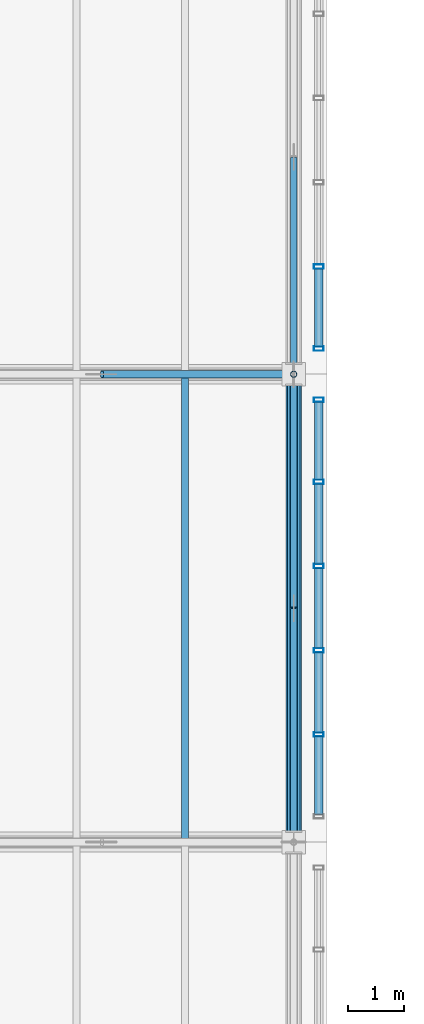
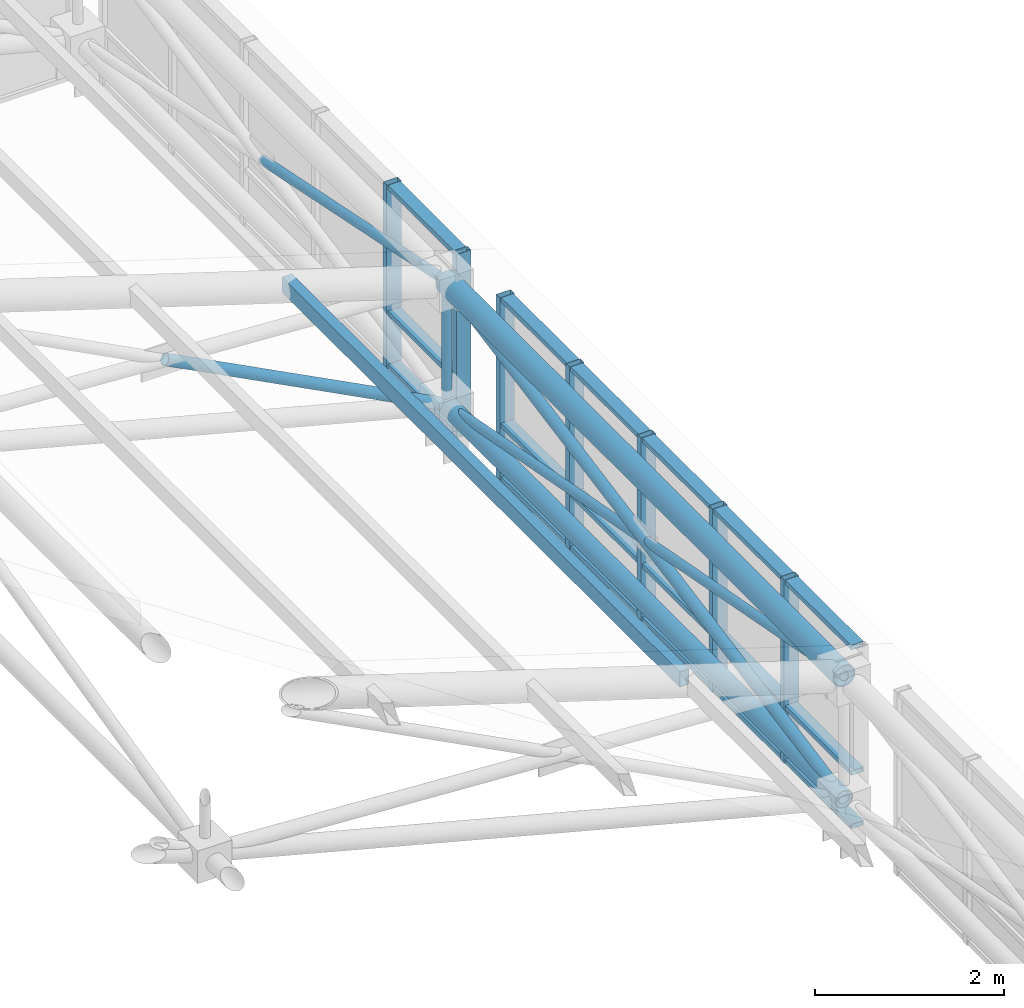
# One storey, part 103 of 144: 34 members, 2 elements without a shape of their own.
"""IFC4 building model written with IfcOpenShell, lengths in metres."""

import ifcopenshell
import ifcopenshell.guid

model = None  # the IFC model being written
_history = None  # IfcOwnerHistory: only IFC2X3 demands one
_inside = {}  # id of a spatial element -> (the spatial element, [elements in it])
_under = {}  # id of a project, library or spatial element -> (it, [spatial elements below it])
_declared = {}  # id of a project -> (the project, [libraries it declares])
_typed = {}  # id of a type object -> (the type object, [elements of that type])
_made_of = {}  # id of a material, layer set ... -> (it, [elements and type objects made of it])


def new_model(schema):
    """Start an empty IFC model of exactly this schema.

    Asked for "IFC4X3", IfcOpenShell would pick the latest addendum, in which some entities
    have other attributes; the version numbers below select the first issue.
    IFC2X3 requires an IfcOwnerHistory on every rooted entity: one is made here for all.
    """
    global model, _history
    if schema == "IFC4X3":
        model = ifcopenshell.file(schema_version=(4, 3, 0, 0))
    else:
        model = ifcopenshell.file(schema=schema)
    _inside.clear()
    _under.clear()
    _declared.clear()
    _typed.clear()
    _made_of.clear()
    _history = None
    if model.schema == "IFC2X3":
        org = make("IfcOrganization", Name="unknown")
        user = make(
            "IfcPersonAndOrganization",
            ThePerson=make("IfcPerson", FamilyName="unknown"),
            TheOrganization=org,
        )
        app = make(
            "IfcApplication",
            ApplicationDeveloper=org,
            Version="unknown",
            ApplicationFullName="unknown",
            ApplicationIdentifier="unknown",
        )
        _history = make(
            "IfcOwnerHistory",
            OwningUser=user,
            OwningApplication=app,
            ChangeAction="ADDED",
            CreationDate=0,
        )
    return model


def make(cls, **values):
    """One entity of the class cls with the attributes given. An attribute that is None is left unset."""
    return model.create_entity(
        cls, **{name: value for name, value in values.items() if value is not None}
    )


def rooted(cls, **values):
    """An entity with a GlobalId (a new one), such as an element, a storey or a relation."""
    return make(cls, GlobalId=ifcopenshell.guid.new(), OwnerHistory=_history, **values)


def si_unit(unit_type, name, prefix=None):
    """IfcSIUnit, for example si_unit("LENGTHUNIT", "METRE", prefix="MILLI")."""
    return make("IfcSIUnit", UnitType=unit_type, Prefix=prefix, Name=name)


def assignment(units):
    """IfcUnitAssignment: the units of a project."""
    return None if units is None else make("IfcUnitAssignment", Units=units)


def point(xyz):
    """IfcCartesianPoint."""
    return None if xyz is None else make("IfcCartesianPoint", Coordinates=xyz)


def direction(xyz):
    """IfcDirection."""
    return None if xyz is None else make("IfcDirection", DirectionRatios=xyz)


def frame(location, z_axis=None, x_axis=None):
    """IfcAxis2Placement3D, a coordinate frame: its origin and axes. An axis left out is left unset."""
    return make(
        "IfcAxis2Placement3D",
        Location=point(location),
        Axis=direction(z_axis),
        RefDirection=direction(x_axis),
    )


def frame_2d(location, x_axis=None):
    """IfcAxis2Placement2D, a coordinate frame in the plane: its origin and x axis."""
    return make(
        "IfcAxis2Placement2D", Location=point(location), RefDirection=direction(x_axis)
    )


def origin():
    """The frame at (0, 0, 0) with its axes left unset."""
    return frame((0.0, 0.0, 0.0))


def origin_2d():
    """The frame at (0, 0) in the plane with its x axis left unset."""
    return frame_2d((0.0, 0.0))


def place(relative_to, where):
    """IfcLocalPlacement: puts the frame where relative to a parent placement (None: the world)."""
    return make(
        "IfcLocalPlacement", PlacementRelTo=relative_to, RelativePlacement=where
    )


def context(
    kind, dimensions, precision=None, world=None, true_north=None, identifier=None
):
    """IfcGeometricRepresentationContext, for example the 3D "Model" context."""
    return make(
        "IfcGeometricRepresentationContext",
        ContextIdentifier=identifier,
        ContextType=kind,
        CoordinateSpaceDimension=dimensions,
        Precision=precision,
        WorldCoordinateSystem=world,
        TrueNorth=true_north,
    )


def subcontext(parent, identifier, kind, view, scale=None):
    """IfcGeometricRepresentationSubContext, for example "Body" below "Model"."""
    return make(
        "IfcGeometricRepresentationSubContext",
        ContextIdentifier=identifier,
        ContextType=kind,
        ParentContext=parent,
        TargetScale=scale,
        TargetView=view,
    )


def project(units=None, contexts=None):
    """IfcProject with its units and contexts."""
    return rooted(
        "IfcProject",
        Name="project",
        RepresentationContexts=contexts,
        UnitsInContext=assignment(units),
    )


def spatial(cls, under=None, at=None, **own):
    """A site, building, storey or space (cls), placed at a placement, below another one or the project."""
    s = rooted(cls, ObjectPlacement=at, **own)
    if under is not None:
        _under.setdefault(under.id(), (under, []))[1].append(s)
    return s


def profile(cls, at=None, kind="AREA", **sizes):
    """A parametric profile (cls). Its sizes go by their IFC names, for example OverallWidth=200.0."""
    return make(cls, ProfileType=kind, Position=at, **sizes)


def hollow_rectangle(**sizes):
    """IfcRectangleHollowProfileDef."""
    return profile("IfcRectangleHollowProfileDef", **sizes)


def hollow_circle(**sizes):
    """IfcCircleHollowProfileDef."""
    return profile("IfcCircleHollowProfileDef", **sizes)


def extrude(swept, where, along, depth):
    """IfcExtrudedAreaSolid: the profile swept, set in the frame where, extruded along a direction by depth."""
    return make(
        "IfcExtrudedAreaSolid",
        SweptArea=swept,
        Position=where,
        ExtrudedDirection=direction(along),
        Depth=depth,
    )


def shape(context_of_items, identifier, shape_type, items):
    """IfcShapeRepresentation: the items that make up one representation, for example the "Body"."""
    return make(
        "IfcShapeRepresentation",
        ContextOfItems=context_of_items,
        RepresentationIdentifier=identifier,
        RepresentationType=shape_type,
        Items=items,
    )


def material(Name=None, Category=None):
    """IfcMaterial."""
    return make("IfcMaterial", Name=Name, Category=Category)


def layer(
    of_material, thickness, ventilated=None, Name=None, Category=None, Priority=None
):
    """IfcMaterialLayer: one layer of a wall or slab, of a material (None: an air gap)."""
    return make(
        "IfcMaterialLayer",
        Material=of_material,
        LayerThickness=thickness,
        IsVentilated=ventilated,
        Name=Name,
        Category=Category,
        Priority=Priority,
    )


def layer_set(layers, Name=None):
    """IfcMaterialLayerSet."""
    return make("IfcMaterialLayerSet", MaterialLayers=layers, LayerSetName=Name)


def material_profile(
    of_material, cross_section, Name=None, Category=None, Priority=None
):
    """IfcMaterialProfile: a cross section and its material."""
    return make(
        "IfcMaterialProfile",
        Name=Name,
        Material=of_material,
        Profile=cross_section,
        Priority=Priority,
        Category=Category,
    )


def profile_set(profiles, Name=None, composite=None):
    """IfcMaterialProfileSet."""
    return make(
        "IfcMaterialProfileSet",
        Name=Name,
        MaterialProfiles=profiles,
        CompositeProfile=composite,
    )


def made_of(thing, what):
    """Note that an element or type object is made of a material, layer set ...; save() writes the relation."""
    if what is not None:
        _made_of.setdefault(what.id(), (what, []))[1].append(thing)
    return thing


def type_object(cls, material=None, **own):
    """A type object (cls), such as IfcWallType, which elements share."""
    return made_of(rooted(cls, **own), material)


def element(
    cls,
    number,
    at=None,
    inside=None,
    cuts=None,
    type_object=None,
    material=None,
    context=None,
    identifier="Body",
    shape_type=None,
    held_by="IfcProductDefinitionShape",
    body=None,
    shapes=None,
    **own,
):
    """One element of the class cls, such as IfcWall. Its Tag is "e" and its number.

    at: its placement. inside: the storey or other place that contains it. cuts: it is an
    opening in that element (IfcRelVoidsElement). A single representation is given by context,
    identifier, shape_type and body (its items); several are given by shapes. held_by: the class
    of the entity that holds the representations. save() writes the other relations.
    """
    e = rooted(cls, Tag="e%d" % number, ObjectPlacement=at, **own)
    if body is not None:
        shapes = [shape(context, identifier, shape_type, body)]
    if shapes is not None:
        e.Representation = make(held_by, Representations=shapes)
    if inside is not None:
        _inside.setdefault(inside.id(), (inside, []))[1].append(e)
    if cuts is not None:
        rooted(
            "IfcRelVoidsElement", RelatingBuildingElement=cuts, RelatedOpeningElement=e
        )
    if type_object is not None:
        _typed.setdefault(type_object.id(), (type_object, []))[1].append(e)
    return made_of(e, material)


def aggregate(whole, parts):
    """IfcRelAggregates: a whole, such as a stair, and the parts it consists of."""
    return rooted("IfcRelAggregates", RelatingObject=whole, RelatedObjects=parts)


def save(model, path):
    """Write the relations noted so far, then the file.

    IfcRelAggregates (storeys below a building ...), IfcRelContainedInSpatialStructure (elements
    in a storey), IfcRelDefinesByType, IfcRelAssociatesMaterial and IfcRelDeclares: one each for
    every whole, place, type object, material and project.
    """
    for whole, parts in _under.values():
        aggregate(whole, parts)
    for where, things in _inside.values():
        rooted(
            "IfcRelContainedInSpatialStructure",
            RelatedElements=things,
            RelatingStructure=where,
        )
    for kind, things in _typed.values():
        rooted("IfcRelDefinesByType", RelatedObjects=things, RelatingType=kind)
    for what, things in _made_of.values():
        rooted("IfcRelAssociatesMaterial", RelatedObjects=things, RelatingMaterial=what)
    for by, libraries in _declared.values():
        rooted("IfcRelDeclares", RelatingContext=by, RelatedDefinitions=libraries)
    model.write(path)


model = new_model("IFC4")

# Units and contexts
model_context = context("Model", 3, precision=1e-05, world=origin(), true_north=direction((0.0, 1.0)))
body_context = subcontext(model_context, "Body", "Model", "MODEL_VIEW")
ifc_project = project(units=[si_unit("LENGTHUNIT", "METRE"), si_unit("AREAUNIT", "SQUARE_METRE"), si_unit("VOLUMEUNIT", "CUBIC_METRE"), si_unit("PLANEANGLEUNIT", "RADIAN"), si_unit("MASSUNIT", "GRAM", prefix="KILO")], contexts=[model_context])

# Site, building, storey
site_placement = place(None, origin())
site = spatial("IfcSite", under=ifc_project, at=site_placement, CompositionType="ELEMENT")
building_placement = place(site_placement, origin())
building = spatial("IfcBuilding", under=site, at=building_placement, Name="Zayran Congress Hotel", CompositionType="ELEMENT")
storey_placement = place(building_placement, frame((0.0, 0.0, 19.199951171875)))
storey = spatial("IfcBuildingStorey", under=building, at=storey_placement, Name="L04", CompositionType="ELEMENT", Elevation=19.199951171875)

# Members
ifc_material_1 = material(Name="Steel S355", Category="steel")
ifc_material_profile_1 = material_profile(ifc_material_1, hollow_circle(Radius=0.136474609375, WallThickness=0.012451171875, at=origin_2d()), Name="CHS 273x12.5")
ifc_profile_set_1 = profile_set([ifc_material_profile_1], Name="Steel S355")
member_type_1 = type_object("IfcMemberType", Name="TP-SF-TC2", PredefinedType="CHORD", material=ifc_profile_set_1)
member_1_placement = place(storey_placement, frame((91.800048828125, 101.199951171875, 2.19140625), z_axis=(0.0, 1.0, 0.0), x_axis=(-1.0, 0.0, 0.0)))
element("IfcMember", 1, at=member_1_placement, inside=storey, type_object=member_type_1, Name="Space Frame Top Chord Y 563", PredefinedType="CHORD", context=body_context, shape_type="SweptSolid", body=[
    extrude(hollow_circle(Radius=0.136474609375, WallThickness=0.012451171875, at=origin_2d()), origin(), (0.0, 0.0, 1.0), 8.400146484375),
])
ifc_material_profile_2 = material_profile(ifc_material_1, hollow_circle(Radius=0.109619140625, WallThickness=0.010009765625, at=origin_2d()), Name="CHS 219.1x10")
ifc_profile_set_2 = profile_set([ifc_material_profile_2], Name="Steel S355")
member_type_2 = type_object("IfcMemberType", Name="TP-SF-BC1", PredefinedType="CHORD", material=ifc_profile_set_2)
member_2_placement = place(storey_placement, frame((91.800048828125, 101.199951171875, 0.60009765625), z_axis=(0.0, 1.0, 0.0), x_axis=(-1.0, 0.0, 0.0)))
element("IfcMember", 2, at=member_2_placement, inside=storey, type_object=member_type_2, Name="Space Frame Bottom Chord Y 564", PredefinedType="CHORD", context=body_context, shape_type="SweptSolid", body=[
    extrude(hollow_circle(Radius=0.109619140625, WallThickness=0.010009765625, at=origin_2d()), origin(), (0.0, 0.0, 1.0), 8.400146484375),
])
ifc_material_profile_3 = material_profile(ifc_material_1, hollow_circle(Radius=0.06982421875, WallThickness=0.00634765625, at=origin_2d()), Name="CHS 139.7x6.3")
ifc_profile_set_3 = profile_set([ifc_material_profile_3], Name="Steel S355")
member_type_3 = type_object("IfcMemberType", Name="TP-SF-DG2", PredefinedType="BRACE", material=ifc_profile_set_3)
member_3_placement = place(storey_placement, frame((88.359130859375, 109.60009765625, 2.387451171875), z_axis=(0.887419803116, 0.0, -0.4609621384), x_axis=(0.0, 1.0, 0.0)))
element("IfcMember", 3, at=member_3_placement, inside=storey, type_object=member_type_3, Name="Space Frame Counter Diagonal X Lower 81", PredefinedType="BRACE", context=body_context, shape_type="SweptSolid", body=[
    extrude(hollow_circle(Radius=0.06982421875, WallThickness=0.00634765625, at=origin_2d()), origin(), (0.0, 0.0, 1.0), 3.87744140625),
])
member_4_placement = place(storey_placement, frame((91.800048828125, 101.199951171875, 0.60009765625), z_axis=(0.0, 0.982525530625, 0.186127863766), x_axis=(-1.0, 0.0, 0.0)))
element("IfcMember", 4, at=member_4_placement, inside=storey, type_object=member_type_3, Name="Space Frame Web Diagonal Y 565", PredefinedType="BRACE", context=body_context, shape_type="SweptSolid", body=[
    extrude(hollow_circle(Radius=0.06982421875, WallThickness=0.00634765625, at=origin_2d()), origin(), (0.0, 0.0, 1.0), 8.549560546875),
])
ifc_material_profile_4 = material_profile(ifc_material_1, hollow_circle(Radius=0.05712890625, WallThickness=0.00634765625, at=origin_2d()), Name="CHS 114.3x6.3")
ifc_profile_set_4 = profile_set([ifc_material_profile_4], Name="Steel S355")
member_type_4 = type_object("IfcMemberType", Name="TP-SF-DG3", PredefinedType="BRACE", material=ifc_profile_set_4)
for number, where, z_axis, x_axis, name in (
    (5, (91.800048828125, 101.199951171875, 2.19140625), (0.0, 0.982520698357, -0.186153370371), (-1.0, 0.0, 0.0), "Space Frame Bracing Diagonal Y Upper 566"),
    (6, (91.800048828125, 105.414794921875, 1.39306640625), (0.0, 0.982520698357, -0.186153370371), (-1.0, 0.0, 0.0), "Space Frame Bracing Diagonal Y Lower 87"),
):
    element("IfcMember", number, at=place(storey_placement, frame(where, z_axis=z_axis, x_axis=x_axis)), inside=storey, type_object=member_type_4, Name=name, PredefinedType="BRACE", context=body_context, shape_type="SweptSolid", body=[
        extrude(hollow_circle(Radius=0.05712890625, WallThickness=0.00634765625, at=origin_2d()), origin(), (0.0, 0.0, 1.0), 4.259765625),
    ])
member_5_placement = place(storey_placement, frame((91.800048828125, 109.60009765625, 2.19140625), z_axis=(0.0, 0.979813166371, -0.199915379616), x_axis=(-1.0, 0.0, 0.0)))
element("IfcMember", 7, at=member_5_placement, inside=storey, type_object=member_type_4, Name="Space Frame Bracing Diagonal Y Upper 571", PredefinedType="BRACE", context=body_context, shape_type="SweptSolid", body=[
    extrude(hollow_circle(Radius=0.05712890625, WallThickness=0.00634765625, at=origin_2d()), origin(), (0.0, 0.0, 1.0), 3.96533203125),
])
member_6_placement = place(storey_placement, frame((91.800048828125, 109.60009765625, 0.60009765625), z_axis=(0.0, 0.0, 1.0), x_axis=(0.0, 1.0, 0.0)))
element("IfcMember", 8, at=member_6_placement, inside=storey, type_object=member_type_4, Name="Space Frame Web Strut 572", PredefinedType="BRACE", context=body_context, shape_type="SweptSolid", body=[
    extrude(hollow_circle(Radius=0.05712890625, WallThickness=0.00634765625, at=origin_2d()), origin(), (0.0, 0.0, 1.0), 1.59130859375),
])
ifc_material_profile_5 = material_profile(ifc_material_1, hollow_rectangle(XDim=0.1201171875, YDim=0.199951171875, WallThickness=0.008056640625, at=origin_2d()), Name="RHS 200x120x8")
ifc_profile_set_5 = profile_set([ifc_material_profile_5], Name="Steel S355")
member_type_5 = type_object("IfcMemberType", Name="TP-PR-01", PredefinedType="PURLIN", material=ifc_profile_set_5)
member_7_placement = place(storey_placement, frame((89.85009765625, 101.199951171875, 2.8486328125), z_axis=(0.0, 1.0, 0.0), x_axis=(-1.0, 0.0, 0.0)))
element("IfcMember", 9, at=member_7_placement, inside=storey, type_object=member_type_5, Name="MEM-PR-V1-0179", PredefinedType="PURLIN", context=body_context, shape_type="SweptSolid", body=[
    extrude(hollow_rectangle(XDim=0.1201171875, YDim=0.199951171875, WallThickness=0.008056640625, at=origin_2d()), origin(), (0.0, 0.0, 1.0), 8.400146484375),
])

# Curtain wall, members
ifc_material_2 = material(Name="Anodised aluminium and low-E insulated glass", Category="aluminium")
ifc_layer = layer(ifc_material_2, 0.179931640625)
ifc_layer_set = layer_set([ifc_layer], Name="Anodised aluminium and low-E insulated glass")
curtain_wall_type = type_object("IfcCurtainWallType", Name="CW-V1CL-L04-CW-41-7560-2370", PredefinedType="USERDEFINED", material=ifc_layer_set)
curtain_wall_1_placement = place(storey_placement, origin())
curtain_wall_1 = element("IfcCurtainWall", 10, at=curtain_wall_1_placement, inside=storey, type_object=curtain_wall_type, Name="CW-V1CLE-4", ObjectType="CURTAIN WALL", PredefinedType="USERDEFINED")
ifc_material_3 = material(Name="Anodised aluminium framing", Category="aluminium")
ifc_material_profile_6 = material_profile(ifc_material_3, hollow_rectangle(XDim=0.080078125, YDim=0.179931640625, WallThickness=0.0048828125, at=origin_2d()), Name="RHS 180x80x5")
ifc_profile_set_6 = profile_set([ifc_material_profile_6], Name="Anodised aluminium framing")
member_type_6 = type_object("IfcMemberType", Name="TP-CWM-01", PredefinedType="MULLION", material=ifc_profile_set_6)
member_8_placement = place(storey_placement, frame((92.25, 103.132080078125, -0.219970703125), z_axis=(0.0, 0.0, 1.0), x_axis=(0.0, 1.0, 0.0)))
member_8 = element("IfcMember", 11, at=member_8_placement, type_object=member_type_6, Name="CW-V1CLE-4-M01", PredefinedType="MULLION", context=body_context, shape_type="SweptSolid", body=[
    extrude(hollow_rectangle(XDim=0.080078125, YDim=0.179931640625, WallThickness=0.0048828125, at=origin_2d()), origin(), (0.0, 0.0, 1.0), 2.3701171875),
])
member_9_placement = place(storey_placement, frame((92.25, 104.64404296875, -0.219970703125), z_axis=(0.0, 0.0, 1.0), x_axis=(0.0, 1.0, 0.0)))
member_9 = element("IfcMember", 12, at=member_9_placement, type_object=member_type_6, Name="CW-V1CLE-4-M02", PredefinedType="MULLION", context=body_context, shape_type="SweptSolid", body=[
    extrude(hollow_rectangle(XDim=0.080078125, YDim=0.179931640625, WallThickness=0.0048828125, at=origin_2d()), origin(), (0.0, 0.0, 1.0), 2.3701171875),
])
member_10_placement = place(storey_placement, frame((92.25, 106.156005859375, -0.219970703125), z_axis=(0.0, 0.0, 1.0), x_axis=(0.0, 1.0, 0.0)))
member_10 = element("IfcMember", 13, at=member_10_placement, type_object=member_type_6, Name="CW-V1CLE-4-M03", PredefinedType="MULLION", context=body_context, shape_type="SweptSolid", body=[
    extrude(hollow_rectangle(XDim=0.080078125, YDim=0.179931640625, WallThickness=0.0048828125, at=origin_2d()), origin(), (0.0, 0.0, 1.0), 2.3701171875),
])
member_11_placement = place(storey_placement, frame((92.25, 107.66796875, -0.219970703125), z_axis=(0.0, 0.0, 1.0), x_axis=(0.0, 1.0, 0.0)))
member_11 = element("IfcMember", 14, at=member_11_placement, type_object=member_type_6, Name="CW-V1CLE-4-M04", PredefinedType="MULLION", context=body_context, shape_type="SweptSolid", body=[
    extrude(hollow_rectangle(XDim=0.080078125, YDim=0.179931640625, WallThickness=0.0048828125, at=origin_2d()), origin(), (0.0, 0.0, 1.0), 2.3701171875),
])
member_12_placement = place(storey_placement, frame((92.25, 109.139892578125, -0.219970703125), z_axis=(0.0, 0.0, 1.0), x_axis=(0.0, 1.0, 0.0)))
member_12 = element("IfcMember", 15, at=member_12_placement, type_object=member_type_6, Name="CW-V1CLE-4-M05", PredefinedType="MULLION", context=body_context, shape_type="SweptSolid", body=[
    extrude(hollow_rectangle(XDim=0.080078125, YDim=0.179931640625, WallThickness=0.0048828125, at=origin_2d()), origin(), (0.0, 0.0, 1.0), 2.3701171875),
])

curtain_wall_2_placement = place(storey_placement, origin())
curtain_wall_2 = element("IfcCurtainWall", 16, at=curtain_wall_2_placement, inside=storey, type_object=curtain_wall_type, Name="CW-V1CLE-5", ObjectType="CURTAIN WALL", PredefinedType="USERDEFINED")
member_13_placement = place(storey_placement, frame((92.25, 110.06005859375, -0.219970703125), z_axis=(0.0, 0.0, 1.0), x_axis=(0.0, 1.0, 0.0)))
member_13 = element("IfcMember", 17, at=member_13_placement, type_object=member_type_6, Name="CW-V1CLE-5-M00", PredefinedType="MULLION", context=body_context, shape_type="SweptSolid", body=[
    extrude(hollow_rectangle(XDim=0.080078125, YDim=0.179931640625, WallThickness=0.0048828125, at=origin_2d()), origin(), (0.0, 0.0, 1.0), 2.3701171875),
])
member_14_placement = place(storey_placement, frame((92.25, 111.531982421875, -0.219970703125), z_axis=(0.0, 0.0, 1.0), x_axis=(0.0, 1.0, 0.0)))
member_14 = element("IfcMember", 18, at=member_14_placement, type_object=member_type_6, Name="CW-V1CLE-5-M01", PredefinedType="MULLION", context=body_context, shape_type="SweptSolid", body=[
    extrude(hollow_rectangle(XDim=0.080078125, YDim=0.179931640625, WallThickness=0.0048828125, at=origin_2d()), origin(), (0.0, 0.0, 1.0), 2.3701171875),
])

# Member
ifc_material_profile_7 = material_profile(ifc_material_3, hollow_rectangle(XDim=0.06005859375, YDim=0.14990234375, WallThickness=0.00390625, at=origin_2d()), Name="RHS 150x60x4")
ifc_profile_set_7 = profile_set([ifc_material_profile_7], Name="Anodised aluminium framing")
member_type_7 = type_object("IfcMemberType", Name="TP-CWT-01", PredefinedType="USERDEFINED", material=ifc_profile_set_7)
member_15_placement = place(storey_placement, frame((92.25, 101.699951171875, -0.18994140625), z_axis=(0.0, 1.0, 0.0), x_axis=(0.0, 0.0, 1.0)))
member_15 = element("IfcMember", 19, at=member_15_placement, type_object=member_type_7, Name="CW-V1CLE-4-T00-0", ObjectType="TRANSOM", PredefinedType="USERDEFINED", context=body_context, shape_type="SweptSolid", body=[
    extrude(hollow_rectangle(XDim=0.06005859375, YDim=0.14990234375, WallThickness=0.00390625, at=origin_2d()), origin(), (0.0, 0.0, 1.0), 1.39208984375),
])

member_16_placement = place(storey_placement, frame((92.25, 101.699951171875, 0.5), z_axis=(0.0, 1.0, 0.0), x_axis=(0.0, 0.0, 1.0)))
member_16 = element("IfcMember", 20, at=member_16_placement, type_object=member_type_7, Name="CW-V1CLE-4-T00-1", ObjectType="TRANSOM", PredefinedType="USERDEFINED", context=body_context, shape_type="SweptSolid", body=[
    extrude(hollow_rectangle(XDim=0.06005859375, YDim=0.14990234375, WallThickness=0.00390625, at=origin_2d()), origin(), (0.0, 0.0, 1.0), 1.39208984375),
])

member_17_placement = place(storey_placement, frame((92.25, 101.699951171875, 2.1201171875), z_axis=(0.0, 1.0, 0.0), x_axis=(0.0, 0.0, 1.0)))
member_17 = element("IfcMember", 21, at=member_17_placement, type_object=member_type_7, Name="CW-V1CLE-4-T00-2", ObjectType="TRANSOM", PredefinedType="USERDEFINED", context=body_context, shape_type="SweptSolid", body=[
    extrude(hollow_rectangle(XDim=0.06005859375, YDim=0.14990234375, WallThickness=0.00390625, at=origin_2d()), origin(), (0.0, 0.0, 1.0), 1.39208984375),
])

member_18_placement = place(storey_placement, frame((92.25, 103.172119140625, -0.18994140625), z_axis=(0.0, 1.0, 0.0), x_axis=(0.0, 0.0, 1.0)))
member_18 = element("IfcMember", 22, at=member_18_placement, type_object=member_type_7, Name="CW-V1CLE-4-T01-0", ObjectType="TRANSOM", PredefinedType="USERDEFINED", context=body_context, shape_type="SweptSolid", body=[
    extrude(hollow_rectangle(XDim=0.06005859375, YDim=0.14990234375, WallThickness=0.00390625, at=origin_2d()), origin(), (0.0, 0.0, 1.0), 1.431884765625),
])

member_19_placement = place(storey_placement, frame((92.25, 103.172119140625, 0.5), z_axis=(0.0, 1.0, 0.0), x_axis=(0.0, 0.0, 1.0)))
member_19 = element("IfcMember", 23, at=member_19_placement, type_object=member_type_7, Name="CW-V1CLE-4-T01-1", ObjectType="TRANSOM", PredefinedType="USERDEFINED", context=body_context, shape_type="SweptSolid", body=[
    extrude(hollow_rectangle(XDim=0.06005859375, YDim=0.14990234375, WallThickness=0.00390625, at=origin_2d()), origin(), (0.0, 0.0, 1.0), 1.431884765625),
])

member_20_placement = place(storey_placement, frame((92.25, 103.172119140625, 2.1201171875), z_axis=(0.0, 1.0, 0.0), x_axis=(0.0, 0.0, 1.0)))
member_20 = element("IfcMember", 24, at=member_20_placement, type_object=member_type_7, Name="CW-V1CLE-4-T01-2", ObjectType="TRANSOM", PredefinedType="USERDEFINED", context=body_context, shape_type="SweptSolid", body=[
    extrude(hollow_rectangle(XDim=0.06005859375, YDim=0.14990234375, WallThickness=0.00390625, at=origin_2d()), origin(), (0.0, 0.0, 1.0), 1.431884765625),
])

member_21_placement = place(storey_placement, frame((92.25, 104.68408203125, -0.18994140625), z_axis=(0.0, 1.0, 0.0), x_axis=(0.0, 0.0, 1.0)))
member_21 = element("IfcMember", 25, at=member_21_placement, type_object=member_type_7, Name="CW-V1CLE-4-T02-0", ObjectType="TRANSOM", PredefinedType="USERDEFINED", context=body_context, shape_type="SweptSolid", body=[
    extrude(hollow_rectangle(XDim=0.06005859375, YDim=0.14990234375, WallThickness=0.00390625, at=origin_2d()), origin(), (0.0, 0.0, 1.0), 1.431884765625),
])

member_22_placement = place(storey_placement, frame((92.25, 104.68408203125, 0.5), z_axis=(0.0, 1.0, 0.0), x_axis=(0.0, 0.0, 1.0)))
member_22 = element("IfcMember", 26, at=member_22_placement, type_object=member_type_7, Name="CW-V1CLE-4-T02-1", ObjectType="TRANSOM", PredefinedType="USERDEFINED", context=body_context, shape_type="SweptSolid", body=[
    extrude(hollow_rectangle(XDim=0.06005859375, YDim=0.14990234375, WallThickness=0.00390625, at=origin_2d()), origin(), (0.0, 0.0, 1.0), 1.431884765625),
])

member_23_placement = place(storey_placement, frame((92.25, 104.68408203125, 2.1201171875), z_axis=(0.0, 1.0, 0.0), x_axis=(0.0, 0.0, 1.0)))
member_23 = element("IfcMember", 27, at=member_23_placement, type_object=member_type_7, Name="CW-V1CLE-4-T02-2", ObjectType="TRANSOM", PredefinedType="USERDEFINED", context=body_context, shape_type="SweptSolid", body=[
    extrude(hollow_rectangle(XDim=0.06005859375, YDim=0.14990234375, WallThickness=0.00390625, at=origin_2d()), origin(), (0.0, 0.0, 1.0), 1.431884765625),
])

member_24_placement = place(storey_placement, frame((92.25, 106.196044921875, -0.18994140625), z_axis=(0.0, 1.0, 0.0), x_axis=(0.0, 0.0, 1.0)))
member_24 = element("IfcMember", 28, at=member_24_placement, type_object=member_type_7, Name="CW-V1CLE-4-T03-0", ObjectType="TRANSOM", PredefinedType="USERDEFINED", context=body_context, shape_type="SweptSolid", body=[
    extrude(hollow_rectangle(XDim=0.06005859375, YDim=0.14990234375, WallThickness=0.00390625, at=origin_2d()), origin(), (0.0, 0.0, 1.0), 1.431884765625),
])

member_25_placement = place(storey_placement, frame((92.25, 106.196044921875, 0.5), z_axis=(0.0, 1.0, 0.0), x_axis=(0.0, 0.0, 1.0)))
member_25 = element("IfcMember", 29, at=member_25_placement, type_object=member_type_7, Name="CW-V1CLE-4-T03-1", ObjectType="TRANSOM", PredefinedType="USERDEFINED", context=body_context, shape_type="SweptSolid", body=[
    extrude(hollow_rectangle(XDim=0.06005859375, YDim=0.14990234375, WallThickness=0.00390625, at=origin_2d()), origin(), (0.0, 0.0, 1.0), 1.431884765625),
])

member_26_placement = place(storey_placement, frame((92.25, 106.196044921875, 2.1201171875), z_axis=(0.0, 1.0, 0.0), x_axis=(0.0, 0.0, 1.0)))
member_26 = element("IfcMember", 30, at=member_26_placement, type_object=member_type_7, Name="CW-V1CLE-4-T03-2", ObjectType="TRANSOM", PredefinedType="USERDEFINED", context=body_context, shape_type="SweptSolid", body=[
    extrude(hollow_rectangle(XDim=0.06005859375, YDim=0.14990234375, WallThickness=0.00390625, at=origin_2d()), origin(), (0.0, 0.0, 1.0), 1.431884765625),
])

member_27_placement = place(storey_placement, frame((92.25, 107.7080078125, -0.18994140625), z_axis=(0.0, 1.0, 0.0), x_axis=(0.0, 0.0, 1.0)))
member_27 = element("IfcMember", 31, at=member_27_placement, type_object=member_type_7, Name="CW-V1CLE-4-T04-0", ObjectType="TRANSOM", PredefinedType="USERDEFINED", context=body_context, shape_type="SweptSolid", body=[
    extrude(hollow_rectangle(XDim=0.06005859375, YDim=0.14990234375, WallThickness=0.00390625, at=origin_2d()), origin(), (0.0, 0.0, 1.0), 1.39208984375),
])

member_28_placement = place(storey_placement, frame((92.25, 107.7080078125, 0.5), z_axis=(0.0, 1.0, 0.0), x_axis=(0.0, 0.0, 1.0)))
member_28 = element("IfcMember", 32, at=member_28_placement, type_object=member_type_7, Name="CW-V1CLE-4-T04-1", ObjectType="TRANSOM", PredefinedType="USERDEFINED", context=body_context, shape_type="SweptSolid", body=[
    extrude(hollow_rectangle(XDim=0.06005859375, YDim=0.14990234375, WallThickness=0.00390625, at=origin_2d()), origin(), (0.0, 0.0, 1.0), 1.39208984375),
])

member_29_placement = place(storey_placement, frame((92.25, 107.7080078125, 2.1201171875), z_axis=(0.0, 1.0, 0.0), x_axis=(0.0, 0.0, 1.0)))
member_29 = element("IfcMember", 33, at=member_29_placement, type_object=member_type_7, Name="CW-V1CLE-4-T04-2", ObjectType="TRANSOM", PredefinedType="USERDEFINED", context=body_context, shape_type="SweptSolid", body=[
    extrude(hollow_rectangle(XDim=0.06005859375, YDim=0.14990234375, WallThickness=0.00390625, at=origin_2d()), origin(), (0.0, 0.0, 1.0), 1.39208984375),
])

aggregate(curtain_wall_1, [member_8, member_9, member_10, member_11, member_12, member_15, member_16, member_17, member_18, member_19, member_20, member_21, member_22, member_23, member_24, member_25, member_26, member_27, member_28, member_29])

member_30_placement = place(storey_placement, frame((92.25, 110.10009765625, -0.18994140625), z_axis=(0.0, 1.0, 0.0), x_axis=(0.0, 0.0, 1.0)))
member_30 = element("IfcMember", 34, at=member_30_placement, type_object=member_type_7, Name="CW-V1CLE-5-T00-0", ObjectType="TRANSOM", PredefinedType="USERDEFINED", context=body_context, shape_type="SweptSolid", body=[
    extrude(hollow_rectangle(XDim=0.06005859375, YDim=0.14990234375, WallThickness=0.00390625, at=origin_2d()), origin(), (0.0, 0.0, 1.0), 1.391845703125),
])

member_31_placement = place(storey_placement, frame((92.25, 110.10009765625, 0.5), z_axis=(0.0, 1.0, 0.0), x_axis=(0.0, 0.0, 1.0)))
member_31 = element("IfcMember", 35, at=member_31_placement, type_object=member_type_7, Name="CW-V1CLE-5-T00-1", ObjectType="TRANSOM", PredefinedType="USERDEFINED", context=body_context, shape_type="SweptSolid", body=[
    extrude(hollow_rectangle(XDim=0.06005859375, YDim=0.14990234375, WallThickness=0.00390625, at=origin_2d()), origin(), (0.0, 0.0, 1.0), 1.391845703125),
])

member_32_placement = place(storey_placement, frame((92.25, 110.10009765625, 2.1201171875), z_axis=(0.0, 1.0, 0.0), x_axis=(0.0, 0.0, 1.0)))
member_32 = element("IfcMember", 36, at=member_32_placement, type_object=member_type_7, Name="CW-V1CLE-5-T00-2", ObjectType="TRANSOM", PredefinedType="USERDEFINED", context=body_context, shape_type="SweptSolid", body=[
    extrude(hollow_rectangle(XDim=0.06005859375, YDim=0.14990234375, WallThickness=0.00390625, at=origin_2d()), origin(), (0.0, 0.0, 1.0), 1.391845703125),
])

aggregate(curtain_wall_2, [member_13, member_14, member_30, member_31, member_32])

save(model, "model.ifc")
